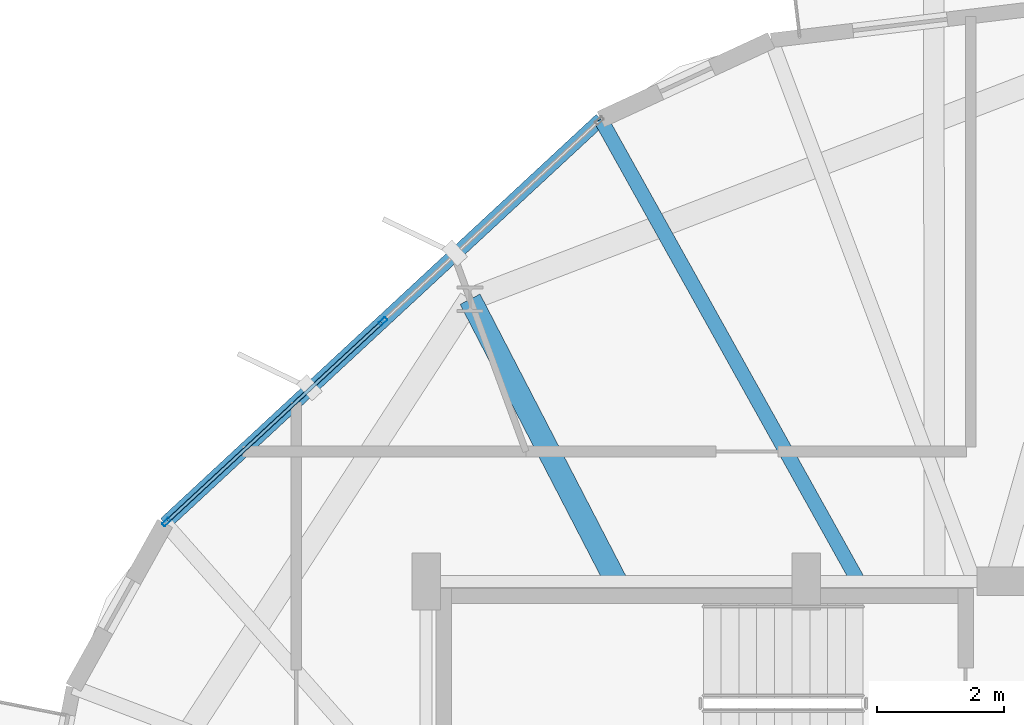
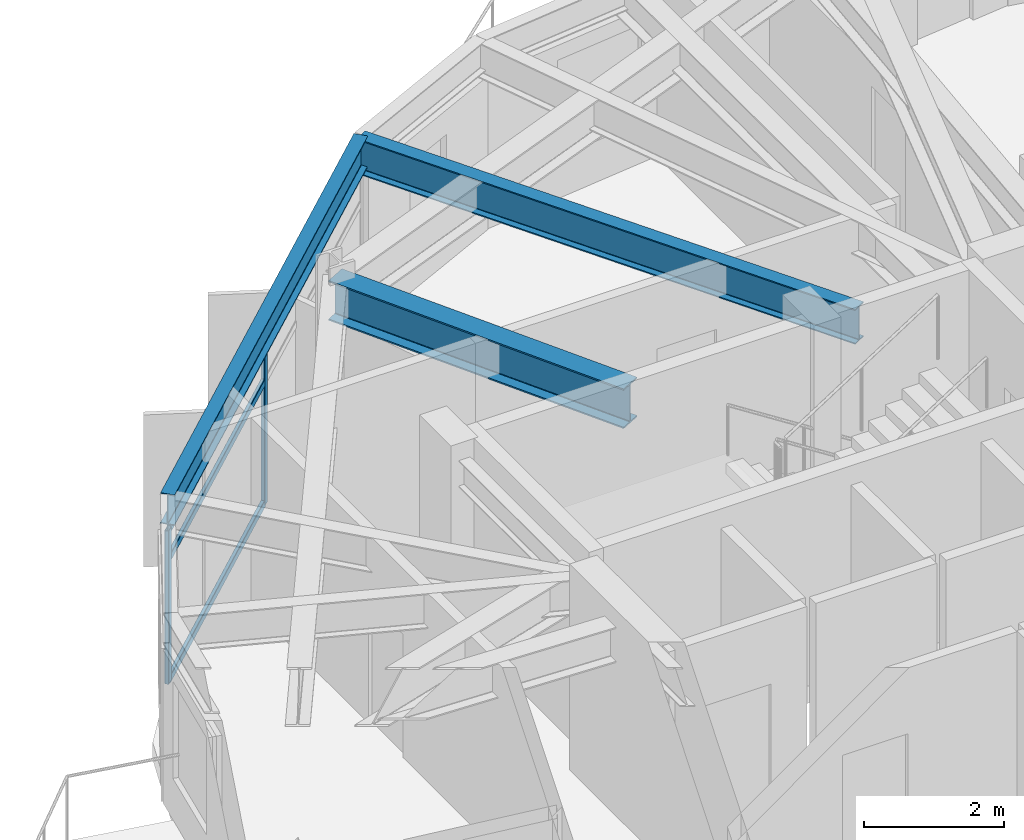
# One storey, part 12 of 25: 5 members, 3 beams, 1 element without a shape of its own.
"""IFC4 building model written with IfcOpenShell, lengths in metres."""

from ifc_helpers import new_model, si_unit, direction, frame, origin, origin_2d, place, context, subcontext, project, spatial, hollow_rectangle, i_section, extrude, material, layer, layer_set, material_profile, profile_set, type_object, element, aggregate, save


model = new_model("IFC4")

# Units and contexts
model_context = context("Model", 3, precision=1e-05, world=origin(), true_north=direction((0.0, 1.0)))
body_context = subcontext(model_context, "Body", "Model", "MODEL_VIEW")
ifc_project = project(units=[si_unit("LENGTHUNIT", "METRE"), si_unit("AREAUNIT", "SQUARE_METRE"), si_unit("VOLUMEUNIT", "CUBIC_METRE"), si_unit("PLANEANGLEUNIT", "RADIAN"), si_unit("MASSUNIT", "GRAM", prefix="KILO")], contexts=[model_context])

# Site, building, storey
site_placement = place(None, origin())
site = spatial("IfcSite", under=ifc_project, at=site_placement, CompositionType="ELEMENT")
building_placement = place(site_placement, origin())
building = spatial("IfcBuilding", under=site, at=building_placement, Name="Soratama Intermodal Tower", CompositionType="ELEMENT")
storey_placement = place(building_placement, frame((0.0, 0.0, 190.60009765625)))
storey = spatial("IfcBuildingStorey", under=building, at=storey_placement, Name="L47", CompositionType="ELEMENT", Elevation=190.60009765625)

# Beams
ifc_material_1 = material(Name="Structural steel ASTM A992 Grade 50", Category="steel")
ifc_material_profile_1 = material_profile(ifc_material_1, i_section(OverallWidth=0.35498046875, OverallDepth=0.695068359375, WebThickness=0.015380859375, FlangeThickness=0.02490234375, FilletRadius=0.01611328125, at=origin_2d()), Name="W27X146")
ifc_profile_set_1 = profile_set([ifc_material_profile_1], Name="Structural steel ASTM A992 Grade 50")
beam_type_1 = type_object("IfcBeamType", Name="BM-RING-W27X146", PredefinedType="BEAM", material=ifc_profile_set_1)
beam_1_placement = place(storey_placement, frame((35.60009765625, 35.0, 2.952392578125), z_axis=(-0.459552673174, 0.888150516849, 0.0), x_axis=(-0.888150516849, -0.459552673174, 0.0)))
element("IfcBeam", 1, at=beam_1_placement, inside=storey, type_object=beam_type_1, Name="BM-L47-RAD-04", PredefinedType="BEAM", context=body_context, shape_type="SweptSolid", body=[
    extrude(i_section(OverallWidth=0.35498046875, OverallDepth=0.695068359375, WebThickness=0.015380859375, FlangeThickness=0.02490234375, FilletRadius=0.01611328125, at=origin_2d()), origin(), (0.0, 0.0, 1.0), 5.01611328125),
])
ifc_material_2 = material(Name="Structural steel ASTM A992 Grade 50", Category="steel")
ifc_material_profile_2 = material_profile(ifc_material_2, i_section(OverallWidth=0.2099609375, OverallDepth=0.537109375, WebThickness=0.010986328125, FlangeThickness=0.017333984375, FilletRadius=0.012939453125, at=origin_2d()), Name="W21X68")
ifc_profile_set_2 = profile_set([ifc_material_profile_2], Name="Structural steel ASTM A992 Grade 50")
beam_type_2 = type_object("IfcBeamType", Name="BM-SPN-W21X68", PredefinedType="SPANDREL", material=ifc_profile_set_2)
beam_2_placement = place(storey_placement, frame((35.35888671875, 42.2958984375, 3.031494140625), z_axis=(-0.73320115979, -0.680011808193, 0.0), x_axis=(0.680011808193, -0.73320115979, 0.0)))
element("IfcBeam", 2, at=beam_2_placement, inside=storey, type_object=beam_type_2, Name="BS-L47-F03", PredefinedType="SPANDREL", context=body_context, shape_type="SweptSolid", body=[
    extrude(i_section(OverallWidth=0.2099609375, OverallDepth=0.537109375, WebThickness=0.010986328125, FlangeThickness=0.017333984375, FilletRadius=0.012939453125, at=origin_2d()), origin(), (0.0, 0.0, 1.0), 9.382080078125),
])
ifc_material_3 = material(Name="Structural steel ASTM A992 Grade 50", Category="steel")
ifc_material_profile_3 = material_profile(ifc_material_3, i_section(OverallWidth=0.22900390625, OverallDepth=0.612060546875, WebThickness=0.011962890625, FlangeThickness=0.01953125, FilletRadius=0.012939453125, at=origin_2d()), Name="W24X84")
ifc_profile_set_3 = profile_set([ifc_material_profile_3], Name="Structural steel ASTM A992 Grade 50")
beam_type_3 = type_object("IfcBeamType", Name="BM-TIE-W24X84", PredefinedType="BEAM", material=ifc_profile_set_3)
beam_3_placement = place(storey_placement, frame((39.406005859375, 35.034912109375, 2.993896484375), z_axis=(-0.486859358263, 0.873480374863, 0.0), x_axis=(-0.873480374863, -0.486859358263, 0.0)))
element("IfcBeam", 3, at=beam_3_placement, inside=storey, type_object=beam_type_3, Name="BM-L47-TIE0-03", PredefinedType="BEAM", context=body_context, shape_type="SweptSolid", body=[
    extrude(i_section(OverallWidth=0.22900390625, OverallDepth=0.612060546875, WebThickness=0.011962890625, FlangeThickness=0.01953125, FilletRadius=0.012939453125, at=origin_2d()), origin(), (0.0, 0.0, 1.0), 8.312744140625),
])

# Curtain wall, members
ifc_material_4 = material(Name="Double-glazed aluminium curtain wall", Category="aluminium")
ifc_layer = layer(ifc_material_4, 0.159912109375)
ifc_layer_set = layer_set([ifc_layer], Name="Double-glazed aluminium curtain wall")
curtain_wall_type = type_object("IfcCurtainWallType", Name="CW-SYS-5", PredefinedType="NOTDEFINED", material=ifc_layer_set)
curtain_wall_placement = place(storey_placement, origin())
curtain_wall = element("IfcCurtainWall", 4, at=curtain_wall_placement, inside=storey, type_object=curtain_wall_type, Name="L47 Faceted Curtain Wall F03", PredefinedType="NOTDEFINED")
ifc_material_5 = material(Name="Anodised aluminium AA 6063-T6", Category="aluminium")
ifc_material_profile_4 = material_profile(ifc_material_5, hollow_rectangle(XDim=0.06494140625, YDim=0.139892578125, WallThickness=0.0048828125, InnerFilletRadius=0.0048828125, OuterFilletRadius=0.010009765625, at=origin_2d()), Name="CWM140X65X5")
ifc_profile_set_4 = profile_set([ifc_material_profile_4], Name="Anodised aluminium AA 6063-T6")
member_type_1 = type_object("IfcMemberType", Name="MT-CWM-5", PredefinedType="MULLION", material=ifc_profile_set_4)
member_1_placement = place(storey_placement, frame((31.919189453125, 39.106201171875, 0.0), z_axis=(0.0, 0.0, 1.0), x_axis=(0.679958318998, -0.733250765036, 0.0)))
member_1 = element("IfcMember", 5, at=member_1_placement, type_object=member_type_1, Name="CW-5 mullion 2", PredefinedType="MULLION", context=body_context, shape_type="SweptSolid", body=[
    extrude(hollow_rectangle(XDim=0.06494140625, YDim=0.139892578125, WallThickness=0.0048828125, InnerFilletRadius=0.0048828125, OuterFilletRadius=0.010009765625, at=origin_2d()), origin(), (0.0, 0.0, 1.0), 2.678955078125),
])
member_2_placement = place(storey_placement, frame((28.50146484375, 35.936767578125, 0.0), z_axis=(0.0, 0.0, 1.0), x_axis=(0.679958318998, -0.733250765036, 0.0)))
member_2 = element("IfcMember", 6, at=member_2_placement, type_object=member_type_1, Name="CW-5 mullion 3", PredefinedType="MULLION", context=body_context, shape_type="SweptSolid", body=[
    extrude(hollow_rectangle(XDim=0.06494140625, YDim=0.139892578125, WallThickness=0.0048828125, InnerFilletRadius=0.0048828125, OuterFilletRadius=0.010009765625, at=origin_2d()), origin(), (0.0, 0.0, 1.0), 2.678955078125),
])
ifc_material_6 = material(Name="Anodised aluminium AA 6063-T6", Category="aluminium")
ifc_material_profile_5 = material_profile(ifc_material_6, hollow_rectangle(XDim=0.06005859375, YDim=0.1298828125, WallThickness=0.0048828125, InnerFilletRadius=0.0048828125, OuterFilletRadius=0.010009765625, at=origin_2d()), Name="CWT130X60X5")
ifc_profile_set_5 = profile_set([ifc_material_profile_5], Name="Anodised aluminium AA 6063-T6")
member_type_2 = type_object("IfcMemberType", Name="TT-CWT-2", PredefinedType="USERDEFINED", material=ifc_profile_set_5)
member_3_placement = place(storey_placement, frame((31.897216796875, 39.085693359375, 0.02978515625), z_axis=(-0.733267675826, -0.679940082352, 0.0), x_axis=(0.679940082352, -0.733267675826, 0.0)))
member_3 = element("IfcMember", 7, at=member_3_placement, type_object=member_type_2, Name="CW-5 transom 2.1", ObjectType="TRANSOM", PredefinedType="USERDEFINED", context=body_context, shape_type="SweptSolid", body=[
    extrude(hollow_rectangle(XDim=0.06005859375, YDim=0.1298828125, WallThickness=0.0048828125, InnerFilletRadius=0.0048828125, OuterFilletRadius=0.010009765625, at=origin_2d()), origin(), (0.0, 0.0, 1.0), 4.60107421875),
])
member_4_placement = place(storey_placement, frame((31.897216796875, 39.085693359375, 2.14990234375), z_axis=(-0.733267675826, -0.679940082352, 0.0), x_axis=(0.679940082352, -0.733267675826, 0.0)))
member_4 = element("IfcMember", 8, at=member_4_placement, type_object=member_type_2, Name="CW-5 transom 2.2", ObjectType="TRANSOM", PredefinedType="USERDEFINED", context=body_context, shape_type="SweptSolid", body=[
    extrude(hollow_rectangle(XDim=0.06005859375, YDim=0.1298828125, WallThickness=0.0048828125, InnerFilletRadius=0.0048828125, OuterFilletRadius=0.010009765625, at=origin_2d()), origin(), (0.0, 0.0, 1.0), 4.60107421875),
])
member_5_placement = place(storey_placement, frame((31.897216796875, 39.085693359375, 2.64892578125), z_axis=(-0.733267675826, -0.679940082352, 0.0), x_axis=(0.679940082352, -0.733267675826, 0.0)))
member_5 = element("IfcMember", 9, at=member_5_placement, type_object=member_type_2, Name="CW-5 transom 2.3", ObjectType="TRANSOM", PredefinedType="USERDEFINED", context=body_context, shape_type="SweptSolid", body=[
    extrude(hollow_rectangle(XDim=0.06005859375, YDim=0.1298828125, WallThickness=0.0048828125, InnerFilletRadius=0.0048828125, OuterFilletRadius=0.010009765625, at=origin_2d()), origin(), (0.0, 0.0, 1.0), 4.60107421875),
])
aggregate(curtain_wall, [member_1, member_2, member_3, member_4, member_5])

save(model, "model.ifc")
